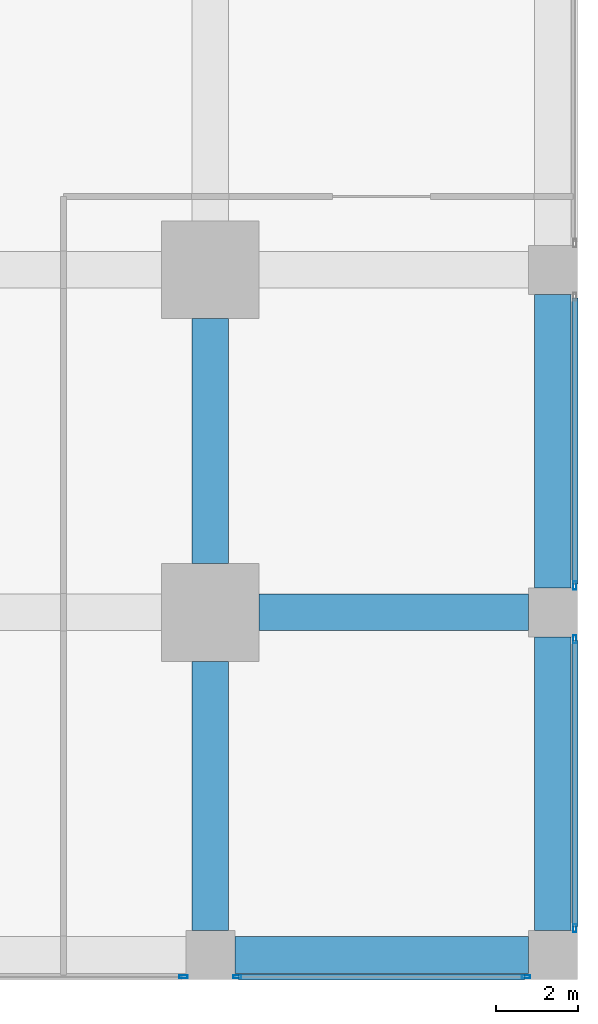
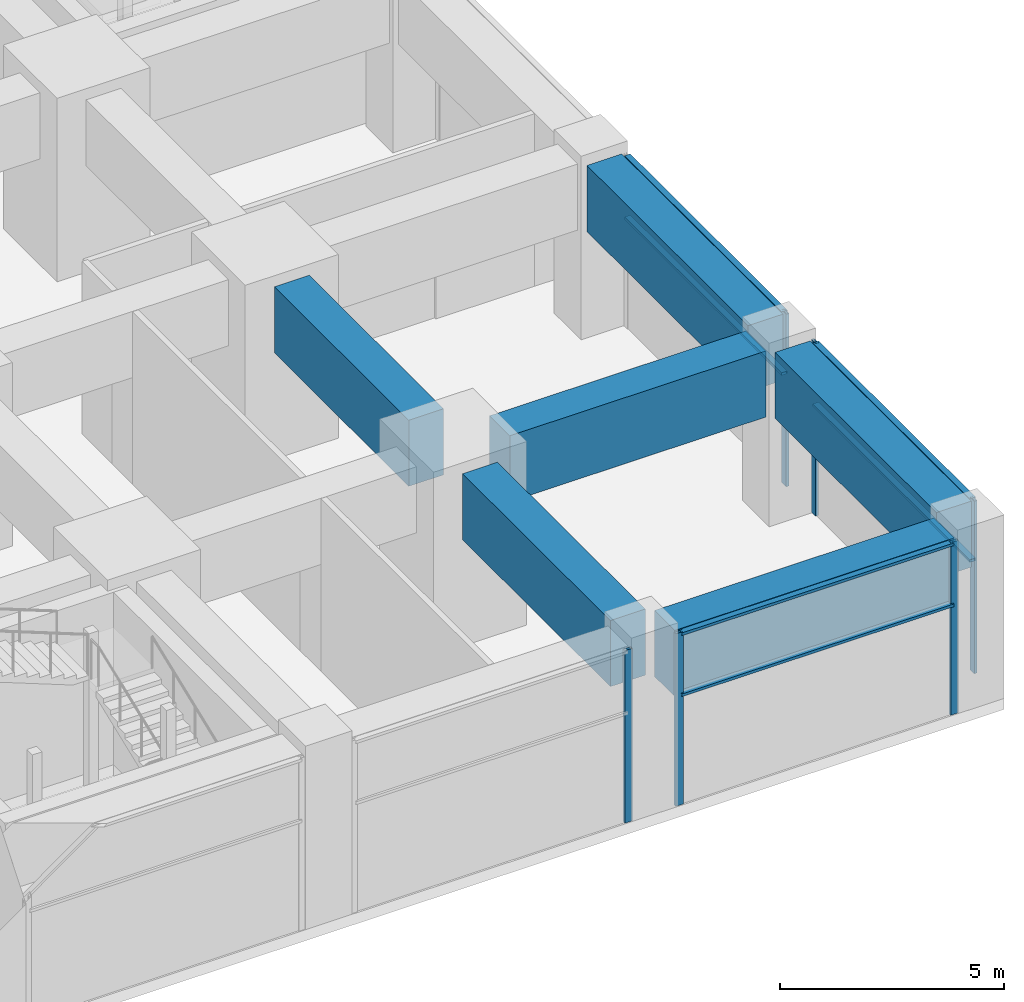
# One storey, part 30 of 48: 12 members, 6 beams, 4 elements without a shape of their own.
"""IFC4 building model written with IfcOpenShell, lengths in metres."""

from ifc_helpers import new_model, si_unit, direction, frame, origin, origin_2d, place, context, subcontext, project, spatial, rectangle, hollow_rectangle, extrude, material, material_profile, profile_set, type_object, element, aggregate, save


model = new_model("IFC4")

# Units and contexts
model_context = context("Model", 3, precision=1e-05, world=origin(), true_north=direction((0.0, 1.0)))
body_context = subcontext(model_context, "Body", "Model", "MODEL_VIEW")
ifc_project = project(units=[si_unit("LENGTHUNIT", "METRE"), si_unit("AREAUNIT", "SQUARE_METRE"), si_unit("VOLUMEUNIT", "CUBIC_METRE"), si_unit("PLANEANGLEUNIT", "RADIAN"), si_unit("MASSUNIT", "GRAM", prefix="KILO")], contexts=[model_context])

# Site, building, storey
site_placement = place(None, origin())
site = spatial("IfcSite", under=ifc_project, at=site_placement, CompositionType="ELEMENT")
building_placement = place(site_placement, origin())
building = spatial("IfcBuilding", under=site, at=building_placement, Name="Rekha Terrace Tower", CompositionType="ELEMENT")
storey_placement = place(building_placement, frame((0.0, 0.0, 15.39990234375)))
storey = spatial("IfcBuildingStorey", under=building, at=storey_placement, Name="L03", CompositionType="ELEMENT", Elevation=15.39990234375)

# Curtain wall, member
ifc_material_1 = material(Name="Aluminium framing", Category="aluminium")
curtain_wall_type = type_object("IfcCurtainWallType", Name="CW4 podium shopfront glazing", PredefinedType="USERDEFINED", material=ifc_material_1)
curtain_wall_1_placement = place(storey_placement, origin())
curtain_wall_1 = element("IfcCurtainWall", 1, at=curtain_wall_1_placement, inside=storey, type_object=curtain_wall_type, Name="CW4 shopfront curtain wall", ObjectType="SHOPFRONT CURTAIN WALL", PredefinedType="USERDEFINED")
ifc_material_2 = material(Name="Aluminium mullion section", Category="aluminium")
ifc_material_profile_1 = material_profile(ifc_material_2, hollow_rectangle(XDim=0.074951171875, YDim=0.199951171875, WallThickness=0.00390625, at=origin_2d()), Name="AL RHS 75x200")
ifc_profile_set_1 = profile_set([ifc_material_profile_1], Name="Aluminium mullion section")
member_type_1 = type_object("IfcMemberType", Name="CW4 mullion RHS 75 x 200", PredefinedType="MULLION", material=ifc_profile_set_1)
member_1_placement = place(storey_placement, frame((66.54248046875, -0.5400390625, 0.0), z_axis=(0.0, 0.0, 1.0), x_axis=(0.0, 1.0, 0.0)))
member_1 = element("IfcMember", 2, at=member_1_placement, type_object=member_type_1, Name="CW4 mullion 2", PredefinedType="MULLION", context=body_context, shape_type="SweptSolid", body=[
    extrude(hollow_rectangle(XDim=0.074951171875, YDim=0.199951171875, WallThickness=0.00390625, at=origin_2d()), origin(), (0.0, 0.0, 1.0), 4.7001953125),
])
aggregate(curtain_wall_1, [member_1])

# Curtain wall, members
curtain_wall_2_placement = place(storey_placement, origin())
curtain_wall_2 = element("IfcCurtainWall", 3, at=curtain_wall_2_placement, inside=storey, type_object=curtain_wall_type, Name="CW4 shopfront curtain wall", ObjectType="SHOPFRONT CURTAIN WALL", PredefinedType="USERDEFINED")
member_2_placement = place(storey_placement, frame((67.857421875, -0.5400390625, 0.0), z_axis=(0.0, 0.0, 1.0), x_axis=(0.0, 1.0, 0.0)))
member_2 = element("IfcMember", 4, at=member_2_placement, type_object=member_type_1, Name="CW4 mullion 1", PredefinedType="MULLION", context=body_context, shape_type="SweptSolid", body=[
    extrude(hollow_rectangle(XDim=0.074951171875, YDim=0.199951171875, WallThickness=0.00390625, at=origin_2d()), origin(), (0.0, 0.0, 1.0), 4.7001953125),
])
member_3_placement = place(storey_placement, frame((74.9423828125, -0.5400390625, 0.0), z_axis=(0.0, 0.0, 1.0), x_axis=(0.0, 1.0, 0.0)))
member_3 = element("IfcMember", 5, at=member_3_placement, type_object=member_type_1, Name="CW4 mullion 2", PredefinedType="MULLION", context=body_context, shape_type="SweptSolid", body=[
    extrude(hollow_rectangle(XDim=0.074951171875, YDim=0.199951171875, WallThickness=0.00390625, at=origin_2d()), origin(), (0.0, 0.0, 1.0), 4.7001953125),
])

curtain_wall_3_placement = place(storey_placement, origin())
curtain_wall_3 = element("IfcCurtainWall", 6, at=curtain_wall_3_placement, inside=storey, type_object=curtain_wall_type, Name="CW4 shopfront curtain wall", ObjectType="SHOPFRONT CURTAIN WALL", PredefinedType="USERDEFINED")
member_4_placement = place(storey_placement, frame((76.139892578125, 0.657470703125, 0.0), z_axis=(0.0, 0.0, 1.0), x_axis=(-1.0, 0.0, 0.0)))
member_4 = element("IfcMember", 7, at=member_4_placement, type_object=member_type_1, Name="CW4 mullion 1", PredefinedType="MULLION", context=body_context, shape_type="SweptSolid", body=[
    extrude(hollow_rectangle(XDim=0.074951171875, YDim=0.199951171875, WallThickness=0.00390625, at=origin_2d()), origin(), (0.0, 0.0, 1.0), 4.7001953125),
])
member_5_placement = place(storey_placement, frame((76.139892578125, 7.742431640625, 0.0), z_axis=(0.0, 0.0, 1.0), x_axis=(-1.0, 0.0, 0.0)))
member_5 = element("IfcMember", 8, at=member_5_placement, type_object=member_type_1, Name="CW4 mullion 2", PredefinedType="MULLION", context=body_context, shape_type="SweptSolid", body=[
    extrude(hollow_rectangle(XDim=0.074951171875, YDim=0.199951171875, WallThickness=0.00390625, at=origin_2d()), origin(), (0.0, 0.0, 1.0), 4.7001953125),
])

# Curtain wall, member
curtain_wall_4_placement = place(storey_placement, origin())
curtain_wall_4 = element("IfcCurtainWall", 9, at=curtain_wall_4_placement, inside=storey, type_object=curtain_wall_type, Name="CW4 shopfront curtain wall", ObjectType="SHOPFRONT CURTAIN WALL", PredefinedType="USERDEFINED")
member_6_placement = place(storey_placement, frame((76.139892578125, 9.0576171875, 0.0), z_axis=(0.0, 0.0, 1.0), x_axis=(-1.0, 0.0, 0.0)))
member_6 = element("IfcMember", 10, at=member_6_placement, type_object=member_type_1, Name="CW4 mullion 1", PredefinedType="MULLION", context=body_context, shape_type="SweptSolid", body=[
    extrude(hollow_rectangle(XDim=0.074951171875, YDim=0.199951171875, WallThickness=0.00390625, at=origin_2d()), origin(), (0.0, 0.0, 1.0), 4.7001953125),
])

# Member
ifc_material_3 = material(Name="Aluminium transom section", Category="aluminium")
ifc_material_profile_2 = material_profile(ifc_material_3, hollow_rectangle(XDim=0.14990234375, YDim=0.074951171875, WallThickness=0.0029296875, at=origin_2d()), Name="AL RHS 150x75")
ifc_profile_set_2 = profile_set([ifc_material_profile_2], Name="Aluminium transom section")
member_type_2 = type_object("IfcMemberType", Name="CW4 transom RHS 75 x 150", PredefinedType="USERDEFINED", material=ifc_profile_set_2)
member_7_placement = place(storey_placement, frame((67.89501953125, -0.5400390625, 3.0), z_axis=(1.0, 0.0, 0.0), x_axis=(0.0, 1.0, 0.0)))
member_7 = element("IfcMember", 11, at=member_7_placement, type_object=member_type_2, Name="CW4 transom 1.2", ObjectType="TRANSOM", PredefinedType="USERDEFINED", context=body_context, shape_type="SweptSolid", body=[
    extrude(hollow_rectangle(XDim=0.14990234375, YDim=0.074951171875, WallThickness=0.0029296875, at=origin_2d()), origin(), (0.0, 0.0, 1.0), 7.010009765625),
])

member_8_placement = place(storey_placement, frame((67.89501953125, -0.5400390625, 4.66259765625), z_axis=(1.0, 0.0, 0.0), x_axis=(0.0, 1.0, 0.0)))
member_8 = element("IfcMember", 12, at=member_8_placement, type_object=member_type_2, Name="CW4 transom 1.3", ObjectType="TRANSOM", PredefinedType="USERDEFINED", context=body_context, shape_type="SweptSolid", body=[
    extrude(hollow_rectangle(XDim=0.14990234375, YDim=0.074951171875, WallThickness=0.0029296875, at=origin_2d()), origin(), (0.0, 0.0, 1.0), 7.010009765625),
])

aggregate(curtain_wall_2, [member_2, member_3, member_7, member_8])

member_9_placement = place(storey_placement, frame((76.139892578125, 0.695068359375, 3.0), z_axis=(0.0, 1.0, 0.0), x_axis=(-1.0, 0.0, 0.0)))
member_9 = element("IfcMember", 13, at=member_9_placement, type_object=member_type_2, Name="CW4 transom 1.2", ObjectType="TRANSOM", PredefinedType="USERDEFINED", context=body_context, shape_type="SweptSolid", body=[
    extrude(hollow_rectangle(XDim=0.14990234375, YDim=0.074951171875, WallThickness=0.0029296875, at=origin_2d()), origin(), (0.0, 0.0, 1.0), 7.010009765625),
])

member_10_placement = place(storey_placement, frame((76.139892578125, 0.695068359375, 4.66259765625), z_axis=(0.0, 1.0, 0.0), x_axis=(-1.0, 0.0, 0.0)))
member_10 = element("IfcMember", 14, at=member_10_placement, type_object=member_type_2, Name="CW4 transom 1.3", ObjectType="TRANSOM", PredefinedType="USERDEFINED", context=body_context, shape_type="SweptSolid", body=[
    extrude(hollow_rectangle(XDim=0.14990234375, YDim=0.074951171875, WallThickness=0.0029296875, at=origin_2d()), origin(), (0.0, 0.0, 1.0), 7.010009765625),
])

aggregate(curtain_wall_3, [member_4, member_5, member_9, member_10])

member_11_placement = place(storey_placement, frame((76.139892578125, 9.094970703125, 3.0), z_axis=(0.0, 1.0, 0.0), x_axis=(-1.0, 0.0, 0.0)))
member_11 = element("IfcMember", 15, at=member_11_placement, type_object=member_type_2, Name="CW4 transom 1.2", ObjectType="TRANSOM", PredefinedType="USERDEFINED", context=body_context, shape_type="SweptSolid", body=[
    extrude(hollow_rectangle(XDim=0.14990234375, YDim=0.074951171875, WallThickness=0.0029296875, at=origin_2d()), origin(), (0.0, 0.0, 1.0), 7.010009765625),
])

member_12_placement = place(storey_placement, frame((76.139892578125, 9.094970703125, 4.66259765625), z_axis=(0.0, 1.0, 0.0), x_axis=(-1.0, 0.0, 0.0)))
member_12 = element("IfcMember", 16, at=member_12_placement, type_object=member_type_2, Name="CW4 transom 1.3", ObjectType="TRANSOM", PredefinedType="USERDEFINED", context=body_context, shape_type="SweptSolid", body=[
    extrude(hollow_rectangle(XDim=0.14990234375, YDim=0.074951171875, WallThickness=0.0029296875, at=origin_2d()), origin(), (0.0, 0.0, 1.0), 7.010009765625),
])

aggregate(curtain_wall_4, [member_6, member_11, member_12])

# Beams
ifc_material_4 = material(Name="Concrete M60", Category="concrete")
ifc_material_profile_3 = material_profile(ifc_material_4, rectangle(XDim=0.89990234375, YDim=1.800048828125, at=origin_2d()), Name="RC 900x1800")
ifc_profile_set_3 = profile_set([ifc_material_profile_3], Name="Concrete M60")
beam_type = type_object("IfcBeamType", Name="G1 900x1800 podium floor beam", PredefinedType="BEAM", material=ifc_profile_set_3)
beam_1_placement = place(storey_placement, frame((67.800048828125, 0.0, 3.800048828125), z_axis=(1.0, 0.0, 0.0), x_axis=(0.0, 1.0, 0.0)))
element("IfcBeam", 17, at=beam_1_placement, inside=storey, type_object=beam_type, Name="Beam G1 9A-10A under L04", PredefinedType="BEAM", context=body_context, shape_type="SweptSolid", body=[
    extrude(rectangle(XDim=0.89990234375, YDim=1.800048828125, at=origin_2d()), origin(), (0.0, 0.0, 1.0), 7.199951171875),
])
beam_2_placement = place(storey_placement, frame((67.199951171875, 0.60009765625, 3.800048828125), z_axis=(0.0, 1.0, 0.0), x_axis=(-1.0, 0.0, 0.0)))
element("IfcBeam", 18, at=beam_2_placement, inside=storey, type_object=beam_type, Name="Beam G1 9A-9B under L04", PredefinedType="BEAM", context=body_context, shape_type="SweptSolid", body=[
    extrude(rectangle(XDim=0.89990234375, YDim=1.800048828125, at=origin_2d()), origin(), (0.0, 0.0, 1.0), 6.599853515625),
])
beam_3_placement = place(storey_placement, frame((68.39990234375, 8.39990234375, 3.800048828125), z_axis=(1.0, 0.0, 0.0), x_axis=(0.0, 1.0, 0.0)))
element("IfcBeam", 19, at=beam_3_placement, inside=storey, type_object=beam_type, Name="Beam G1 9B-10B under L04", PredefinedType="BEAM", context=body_context, shape_type="SweptSolid", body=[
    extrude(rectangle(XDim=0.89990234375, YDim=1.800048828125, at=origin_2d()), origin(), (0.0, 0.0, 1.0), 6.60009765625),
])
beam_4_placement = place(storey_placement, frame((67.199951171875, 9.60009765625, 3.800048828125), z_axis=(0.0, 1.0, 0.0), x_axis=(-1.0, 0.0, 0.0)))
element("IfcBeam", 20, at=beam_4_placement, inside=storey, type_object=beam_type, Name="Beam G1 9B-9C under L04", PredefinedType="BEAM", context=body_context, shape_type="SweptSolid", body=[
    extrude(rectangle(XDim=0.89990234375, YDim=1.800048828125, at=origin_2d()), origin(), (0.0, 0.0, 1.0), 6.0),
])
for number, where, z_axis, x_axis, name in (
    (21, (75.60009765625, 0.60009765625, 3.800048828125), (0.0, 1.0, 0.0), (-1.0, 0.0, 0.0), "Beam G1 10A-10B under L04"),
    (22, (75.60009765625, 9.0, 3.800048828125), (0.0, 1.0, 0.0), (-1.0, 0.0, 0.0), "Beam G1 10B-10C under L04"),
):
    element("IfcBeam", number, at=place(storey_placement, frame(where, z_axis=z_axis, x_axis=x_axis)), inside=storey, type_object=beam_type, Name=name, PredefinedType="BEAM", context=body_context, shape_type="SweptSolid", body=[
        extrude(rectangle(XDim=0.89990234375, YDim=1.800048828125, at=origin_2d()), origin(), (0.0, 0.0, 1.0), 7.199951171875),
    ])

save(model, "model.ifc")
